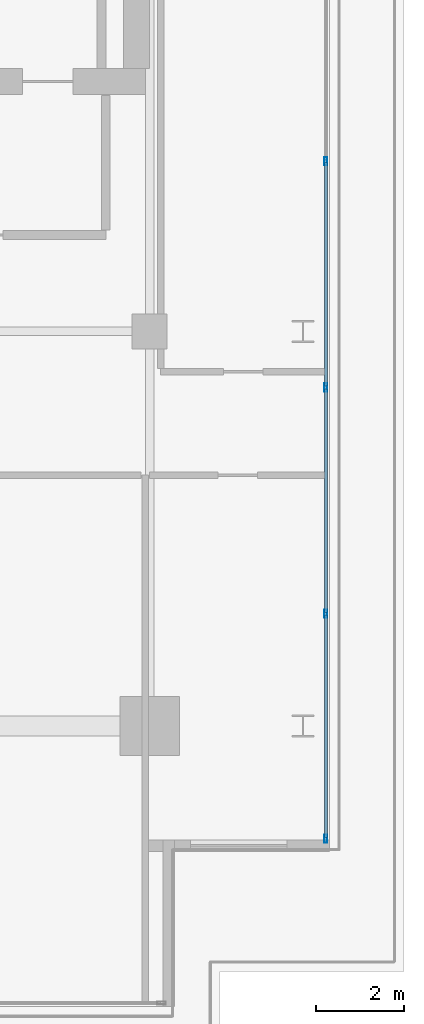
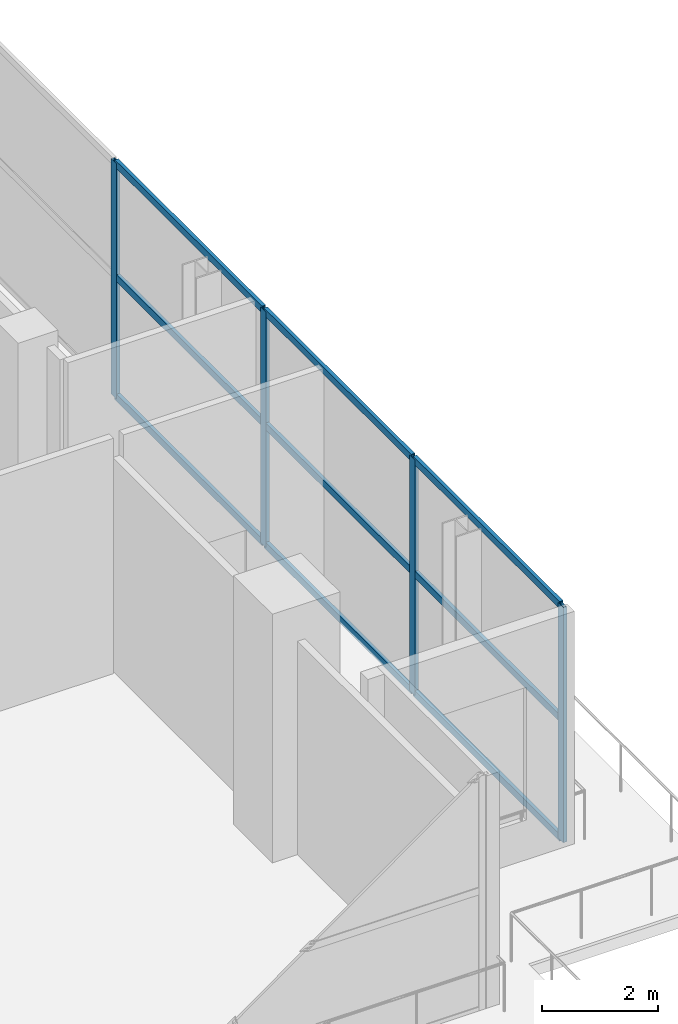
# One storey, part 8 of 19: 13 members, 1 element without a shape of its own.
"""IFC4 building model written with IfcOpenShell, lengths in metres."""

from ifc_helpers import new_model, si_unit, direction, frame, origin, origin_2d, place, context, subcontext, project, spatial, hollow_rectangle, extrude, material, layer, layer_set, material_profile, profile_set, type_object, element, aggregate, save


model = new_model("IFC4")

# Units and contexts
model_context = context("Model", 3, precision=1e-05, world=origin(), true_north=direction((0.0, 1.0)))
body_context = subcontext(model_context, "Body", "Model", "MODEL_VIEW")
ifc_project = project(units=[si_unit("LENGTHUNIT", "METRE"), si_unit("AREAUNIT", "SQUARE_METRE"), si_unit("VOLUMEUNIT", "CUBIC_METRE"), si_unit("PLANEANGLEUNIT", "RADIAN"), si_unit("MASSUNIT", "GRAM", prefix="KILO")], contexts=[model_context])

# Site, building, storey
site_placement = place(None, origin())
site = spatial("IfcSite", under=ifc_project, at=site_placement, CompositionType="ELEMENT")
building_placement = place(site_placement, origin())
building = spatial("IfcBuilding", under=site, at=building_placement, Name="Maruvema Waterfront Hotel and Observation Tower", CompositionType="ELEMENT")
storey_placement = place(building_placement, frame((0.0, 0.0, 359.10009765625)))
storey = spatial("IfcBuildingStorey", under=building, at=storey_placement, Name="L88", CompositionType="ELEMENT", Elevation=359.10009765625)

# Curtain wall, members
ifc_material_1 = material(Name="Anodised bronze aluminium and solar-control low-E IGU", Category="aluminium")
ifc_layer = layer(ifc_material_1, 0.159912109375, Name="Observation Crown Structural Glazed Curtain Wall System CW-06")
ifc_layer_set = layer_set([ifc_layer], Name="Anodised bronze aluminium and solar-control low-E IGU")
curtain_wall_type = type_object("IfcCurtainWallType", Name="Observation Crown Structural Glazed Curtain Wall System CW-06", PredefinedType="USERDEFINED", material=ifc_layer_set)
curtain_wall_placement = place(storey_placement, origin())
curtain_wall = element("IfcCurtainWall", 1, at=curtain_wall_placement, inside=storey, type_object=curtain_wall_type, Name="L88 Curtain Wall CW-L88-E", ObjectType="UNITISED CURTAIN WALL", PredefinedType="USERDEFINED")
ifc_material_2 = material(Name="Anodised architectural bronze aluminium", Category="aluminium")
ifc_material_profile_1 = material_profile(ifc_material_2, hollow_rectangle(XDim=0.070068359375, YDim=0.14990234375, WallThickness=0.00390625, at=origin_2d()), Name="ALU-T70x150")
ifc_profile_set_1 = profile_set([ifc_material_profile_1], Name="Anodised architectural bronze aluminium")
member_type_1 = type_object("IfcMemberType", Name="Curtain Wall Horizontal Transom ALU-T70x150", PredefinedType="USERDEFINED", material=ifc_profile_set_1)
member_1_placement = place(storey_placement, frame((54.419921875, 24.4599609375, 0.02978515625), z_axis=(0.0, 1.0, 0.0), x_axis=(-1.0, 0.0, 0.0)))
member_1 = element("IfcMember", 2, at=member_1_placement, type_object=member_type_1, Name="CW-06 transom 1.1", ObjectType="TRANSOM", PredefinedType="USERDEFINED", context=body_context, shape_type="SweptSolid", body=[
    extrude(hollow_rectangle(XDim=0.070068359375, YDim=0.14990234375, WallThickness=0.00390625, at=origin_2d()), origin(), (0.0, 0.0, 1.0), 5.070068359375),
])
member_2_placement = place(storey_placement, frame((54.419921875, 24.4599609375, 2.5498046875), z_axis=(0.0, 1.0, 0.0), x_axis=(-1.0, 0.0, 0.0)))
member_2 = element("IfcMember", 3, at=member_2_placement, type_object=member_type_1, Name="CW-06 transom 1.2", ObjectType="TRANSOM", PredefinedType="USERDEFINED", context=body_context, shape_type="SweptSolid", body=[
    extrude(hollow_rectangle(XDim=0.070068359375, YDim=0.14990234375, WallThickness=0.00390625, at=origin_2d()), origin(), (0.0, 0.0, 1.0), 5.070068359375),
])
member_3_placement = place(storey_placement, frame((54.419921875, 24.4599609375, 4.93994140625), z_axis=(0.0, 1.0, 0.0), x_axis=(-1.0, 0.0, 0.0)))
member_3 = element("IfcMember", 4, at=member_3_placement, type_object=member_type_1, Name="CW-06 transom 1.3", ObjectType="TRANSOM", PredefinedType="USERDEFINED", context=body_context, shape_type="SweptSolid", body=[
    extrude(hollow_rectangle(XDim=0.070068359375, YDim=0.14990234375, WallThickness=0.00390625, at=origin_2d()), origin(), (0.0, 0.0, 1.0), 5.070068359375),
])
member_4_placement = place(storey_placement, frame((54.419921875, 29.590087890625, 0.02978515625), z_axis=(0.0, 1.0, 0.0), x_axis=(-1.0, 0.0, 0.0)))
member_4 = element("IfcMember", 5, at=member_4_placement, type_object=member_type_1, Name="CW-06 transom 2.1", ObjectType="TRANSOM", PredefinedType="USERDEFINED", context=body_context, shape_type="SweptSolid", body=[
    extrude(hollow_rectangle(XDim=0.070068359375, YDim=0.14990234375, WallThickness=0.00390625, at=origin_2d()), origin(), (0.0, 0.0, 1.0), 5.099853515625),
])
member_5_placement = place(storey_placement, frame((54.419921875, 29.590087890625, 2.5498046875), z_axis=(0.0, 1.0, 0.0), x_axis=(-1.0, 0.0, 0.0)))
member_5 = element("IfcMember", 6, at=member_5_placement, type_object=member_type_1, Name="CW-06 transom 2.2", ObjectType="TRANSOM", PredefinedType="USERDEFINED", context=body_context, shape_type="SweptSolid", body=[
    extrude(hollow_rectangle(XDim=0.070068359375, YDim=0.14990234375, WallThickness=0.00390625, at=origin_2d()), origin(), (0.0, 0.0, 1.0), 5.099853515625),
])
member_6_placement = place(storey_placement, frame((54.419921875, 29.590087890625, 4.93994140625), z_axis=(0.0, 1.0, 0.0), x_axis=(-1.0, 0.0, 0.0)))
member_6 = element("IfcMember", 7, at=member_6_placement, type_object=member_type_1, Name="CW-06 transom 2.3", ObjectType="TRANSOM", PredefinedType="USERDEFINED", context=body_context, shape_type="SweptSolid", body=[
    extrude(hollow_rectangle(XDim=0.070068359375, YDim=0.14990234375, WallThickness=0.00390625, at=origin_2d()), origin(), (0.0, 0.0, 1.0), 5.099853515625),
])
member_7_placement = place(storey_placement, frame((54.419921875, 34.75, 0.02978515625), z_axis=(0.0, 1.0, 0.0), x_axis=(-1.0, 0.0, 0.0)))
member_7 = element("IfcMember", 8, at=member_7_placement, type_object=member_type_1, Name="CW-06 transom 3.1", ObjectType="TRANSOM", PredefinedType="USERDEFINED", context=body_context, shape_type="SweptSolid", body=[
    extrude(hollow_rectangle(XDim=0.070068359375, YDim=0.14990234375, WallThickness=0.00390625, at=origin_2d()), origin(), (0.0, 0.0, 1.0), 5.10009765625),
])
member_8_placement = place(storey_placement, frame((54.419921875, 34.75, 2.5498046875), z_axis=(0.0, 1.0, 0.0), x_axis=(-1.0, 0.0, 0.0)))
member_8 = element("IfcMember", 9, at=member_8_placement, type_object=member_type_1, Name="CW-06 transom 3.2", ObjectType="TRANSOM", PredefinedType="USERDEFINED", context=body_context, shape_type="SweptSolid", body=[
    extrude(hollow_rectangle(XDim=0.070068359375, YDim=0.14990234375, WallThickness=0.00390625, at=origin_2d()), origin(), (0.0, 0.0, 1.0), 5.10009765625),
])
member_9_placement = place(storey_placement, frame((54.419921875, 34.75, 4.93994140625), z_axis=(0.0, 1.0, 0.0), x_axis=(-1.0, 0.0, 0.0)))
member_9 = element("IfcMember", 10, at=member_9_placement, type_object=member_type_1, Name="CW-06 transom 3.3", ObjectType="TRANSOM", PredefinedType="USERDEFINED", context=body_context, shape_type="SweptSolid", body=[
    extrude(hollow_rectangle(XDim=0.070068359375, YDim=0.14990234375, WallThickness=0.00390625, at=origin_2d()), origin(), (0.0, 0.0, 1.0), 5.10009765625),
])
ifc_material_3 = material(Name="Anodised architectural bronze aluminium", Category="aluminium")
ifc_material_profile_2 = material_profile(ifc_material_3, hollow_rectangle(XDim=0.070068359375, YDim=0.18994140625, WallThickness=0.00390625, at=origin_2d()), Name="ALU-M70x190")
ifc_profile_set_2 = profile_set([ifc_material_profile_2], Name="Anodised architectural bronze aluminium")
member_type_2 = type_object("IfcMemberType", Name="Podium Storefront Heavy Mullion ALU-M70x190", PredefinedType="MULLION", material=ifc_profile_set_2)
member_10_placement = place(storey_placement, frame((54.419921875, 24.429931640625, 0.0), z_axis=(0.0, 0.0, 1.0), x_axis=(-1.0, 0.0, 0.0)))
member_10 = element("IfcMember", 11, at=member_10_placement, type_object=member_type_2, Name="CW-06 mullion 1", PredefinedType="MULLION", context=body_context, shape_type="SweptSolid", body=[
    extrude(hollow_rectangle(XDim=0.070068359375, YDim=0.18994140625, WallThickness=0.00390625, at=origin_2d()), origin(), (0.0, 0.0, 1.0), 4.969970703125),
])
member_11_placement = place(storey_placement, frame((54.419921875, 29.56005859375, 0.0), z_axis=(0.0, 0.0, 1.0), x_axis=(-1.0, 0.0, 0.0)))
member_11 = element("IfcMember", 12, at=member_11_placement, type_object=member_type_2, Name="CW-06 mullion 2", PredefinedType="MULLION", context=body_context, shape_type="SweptSolid", body=[
    extrude(hollow_rectangle(XDim=0.070068359375, YDim=0.18994140625, WallThickness=0.00390625, at=origin_2d()), origin(), (0.0, 0.0, 1.0), 4.969970703125),
])
member_12_placement = place(storey_placement, frame((54.419921875, 34.719970703125, 0.0), z_axis=(0.0, 0.0, 1.0), x_axis=(-1.0, 0.0, 0.0)))
member_12 = element("IfcMember", 13, at=member_12_placement, type_object=member_type_2, Name="CW-06 mullion 3", PredefinedType="MULLION", context=body_context, shape_type="SweptSolid", body=[
    extrude(hollow_rectangle(XDim=0.070068359375, YDim=0.18994140625, WallThickness=0.00390625, at=origin_2d()), origin(), (0.0, 0.0, 1.0), 4.969970703125),
])
member_13_placement = place(storey_placement, frame((54.419921875, 39.8798828125, 0.0), z_axis=(0.0, 0.0, 1.0), x_axis=(-1.0, 0.0, 0.0)))
member_13 = element("IfcMember", 14, at=member_13_placement, type_object=member_type_2, Name="CW-06 mullion 4", PredefinedType="MULLION", context=body_context, shape_type="SweptSolid", body=[
    extrude(hollow_rectangle(XDim=0.070068359375, YDim=0.18994140625, WallThickness=0.00390625, at=origin_2d()), origin(), (0.0, 0.0, 1.0), 4.969970703125),
])
aggregate(curtain_wall, [member_10, member_11, member_12, member_13, member_1, member_2, member_3, member_4, member_5, member_6, member_7, member_8, member_9])

save(model, "model.ifc")
